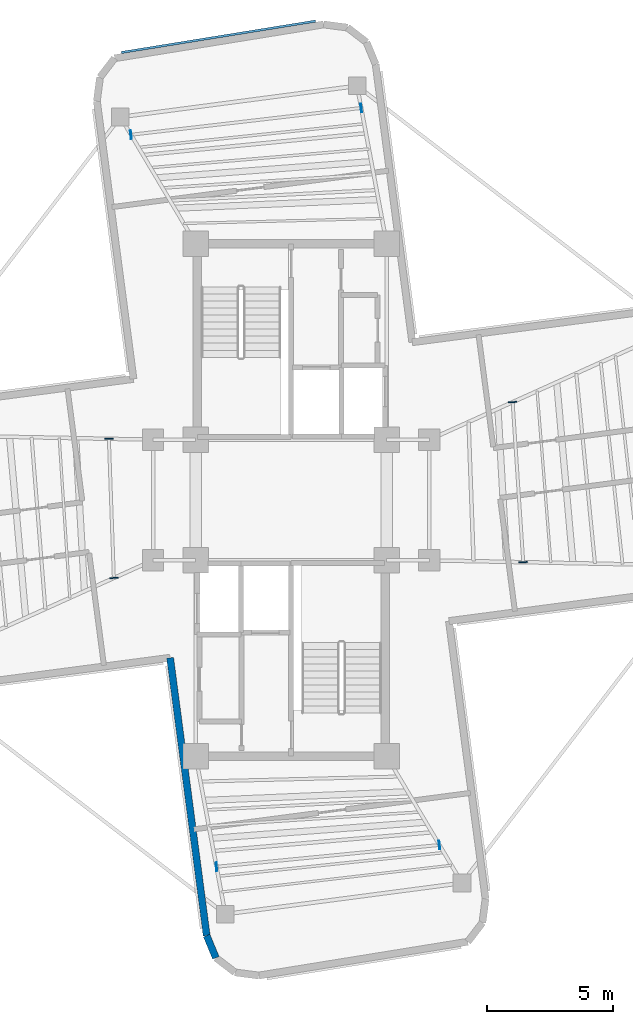
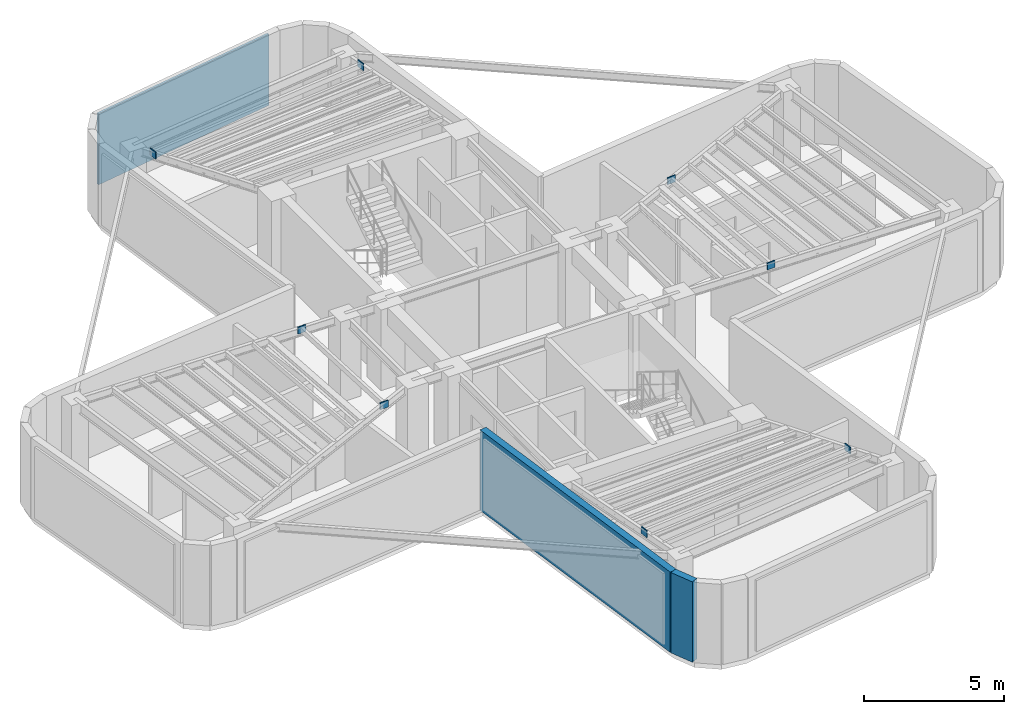
# One storey, part 3 of 6: 9 plates, 2 walls.
"""IFC4 building model written with IfcOpenShell, lengths in metres."""

from ifc_helpers import new_model, si_unit, direction, frame, frame_2d, origin, origin_2d, place, context, subcontext, project, spatial, rectangle, extrude, source, transform, mapped, material, layer, layer_set, type_object, element, save


model = new_model("IFC4")

# Units and contexts
model_context = context("Model", 3, precision=1e-05, world=origin(), true_north=direction((0.0, 1.0)))
body_context = subcontext(model_context, "Body", "Model", "MODEL_VIEW")
ifc_project = project(units=[si_unit("LENGTHUNIT", "METRE"), si_unit("AREAUNIT", "SQUARE_METRE"), si_unit("VOLUMEUNIT", "CUBIC_METRE"), si_unit("PLANEANGLEUNIT", "RADIAN"), si_unit("MASSUNIT", "GRAM", prefix="KILO")], contexts=[model_context])

# Site, building, storey
site_placement = place(None, origin())
site = spatial("IfcSite", under=ifc_project, at=site_placement, CompositionType="ELEMENT")
building_placement = place(site_placement, origin())
building = spatial("IfcBuilding", under=site, at=building_placement, Name="Sahyath Konkavel Grand Hotel", CompositionType="ELEMENT")
storey_placement = place(building_placement, frame((0.0, 0.0, 292.699951171875)))
storey = spatial("IfcBuildingStorey", under=building, at=storey_placement, Name="L81", CompositionType="ELEMENT", Elevation=292.699951171875)

# Plates
ifc_material_1 = material(Name="Steel E450", Category="steel")
plate_type_1 = type_object("IfcPlateType", Name="GUSSET-END-35", PredefinedType="USERDEFINED", material=ifc_material_1)
shared_shape_1 = source(origin(), body_context, "Body", "SweptSolid", [
    extrude(rectangle(XDim=0.0400390625, YDim=0.340087890625, at=origin_2d()), origin(), (0.0, 0.0, 1.0), 0.300048828125),
])
for number, where, z_axis, x_axis, name in (
    (1, (9.234375, -2.47509765625, 3.240234375), (0.0, 0.0, 1.0), (-0.066030089531, 0.997817632274, 0.0), "L81 Sub-Beam E-2 End Cap A"),
    (2, (8.812744140625, 3.895263671875, 3.240234375), (0.0, 0.0, 1.0), (-0.066030089531, 0.997817632274, 0.0), "L81 Sub-Beam E-2 End Cap B"),
    (3, (-7.25732421875, 2.435302734375, 3.240234375), (0.0, 0.0, 1.0), (0.035789058442, -0.999359366442, 0.0), "L81 Sub-Beam W-1 End Cap A"),
    (4, (-7.058837890625, -3.103515625, 3.240234375), (0.0, 0.0, 1.0), (0.035789058442, -0.999359366442, 0.0), "L81 Sub-Beam W-1 End Cap B"),
    (5, (2.785888671875, 15.603515625, 3.240234375), (0.0, 0.0, 1.0), (-0.993298335304, -0.115578618625, 0.0), "L81 Sub-Beam N-6 End Cap A"),
    (6, (-6.378173828125, 14.537109375, 3.240234375), (0.0, 0.0, 1.0), (-0.993298335304, -0.115578618625, 0.0), "L81 Sub-Beam N-6 End Cap B"),
    (7, (-2.974609375, -14.59814453125, 3.240234375), (0.0, 0.0, 1.0), (0.995249515222, 0.097357087315, 0.0), "L81 Sub-Beam S-5 End Cap A"),
    (8, (5.8984375, -13.730224609375, 3.240234375), (0.0, 0.0, 1.0), (0.995249515222, 0.097357087315, 0.0), "L81 Sub-Beam S-5 End Cap B"),
):
    element("IfcPlate", number, at=place(storey_placement, frame(where, z_axis=z_axis, x_axis=x_axis)), inside=storey, type_object=plate_type_1, Name=name, ObjectType="GUSSET_PLATE", PredefinedType="USERDEFINED", context=body_context, shape_type="MappedRepresentation", body=[
        mapped(shared_shape_1, transform((0.0, 0.0, 0.0), scale=1.0)),
    ])
ifc_material_2 = material(Name="Warm Buff Sandstone Perforated Cladding", Category="masonry")
ifc_layer_1 = layer(ifc_material_2, 0.090087890625)
ifc_layer_set_1 = layer_set([ifc_layer_1], Name="Warm Buff Sandstone Perforated Cladding")
plate_type_2 = type_object("IfcPlateType", Name="PNL-CROWN-LOUVRE", PredefinedType="SHEET", material=ifc_layer_set_1)
shared_shape_2 = source(origin(), body_context, "Body", "SweptSolid", [
    extrude(rectangle(XDim=7.8291015625, YDim=0.090087890625, at=origin_2d()), origin(), (0.0, 0.0, 1.0), 3.10009765625),
])
plate_placement = place(storey_placement, frame((-2.89892578125, 18.435302734375, 0.199951171875), z_axis=(0.0, 0.0, 1.0), x_axis=(-0.987178088041, -0.159622750546, 0.0)))
element("IfcPlate", 9, at=plate_placement, inside=storey, type_object=plate_type_2, Name="L81 Crown Perforated Sandstone Louvre Screen 12", PredefinedType="SHEET", context=body_context, shape_type="MappedRepresentation", body=[
    mapped(shared_shape_2, transform((0.0, 0.0, 0.0), scale=1.0)),
])

# Walls
ifc_material_3 = material(Name="Warm Buff Sandstone Insulated Concrete C40/50", Category="masonry")
ifc_layer_2 = layer(ifc_material_3, 0.280029296875)
ifc_layer_set_2 = layer_set([ifc_layer_2], Name="Warm Buff Sandstone Insulated Concrete C40/50")
wall_type = type_object("IfcWallType", Name="WLL-CROWN-CLAD", PredefinedType="SOLIDWALL", material=ifc_layer_set_2)
wall_1_placement = place(storey_placement, frame((-4.821044921875, -6.282958984375, 0.0), z_axis=(0.0, 0.0, 1.0), x_axis=(0.130521347626, -0.991445499165, 0.0)))
element("IfcWall", 10, at=wall_1_placement, inside=storey, type_object=wall_type, Name="L81 Crown Sandstone & Acoustic Louvre Wall 24", PredefinedType="SOLIDWALL", context=body_context, shape_type="SweptSolid", body=[
    extrude(rectangle(XDim=11.150146484375, YDim=0.280029296875, at=frame_2d((5.5751953125, 0.0))), origin(), (0.0, 0.0, 1.0), 3.5),
])
wall_2_placement = place(storey_placement, frame((-3.36572265625, -17.337646484375, 0.0), z_axis=(0.0, 0.0, 1.0), x_axis=(0.382659506909, -0.923889442397, 0.0)))
element("IfcWall", 11, at=wall_2_placement, inside=storey, type_object=wall_type, Name="L81 Crown Sandstone & Acoustic Louvre Wall 25", PredefinedType="SOLIDWALL", context=body_context, shape_type="SweptSolid", body=[
    extrude(rectangle(XDim=0.957763671875, YDim=0.280029296875, at=frame_2d((0.47900390625, 0.0))), origin(), (0.0, 0.0, 1.0), 3.5),
])

save(model, "model.ifc")
